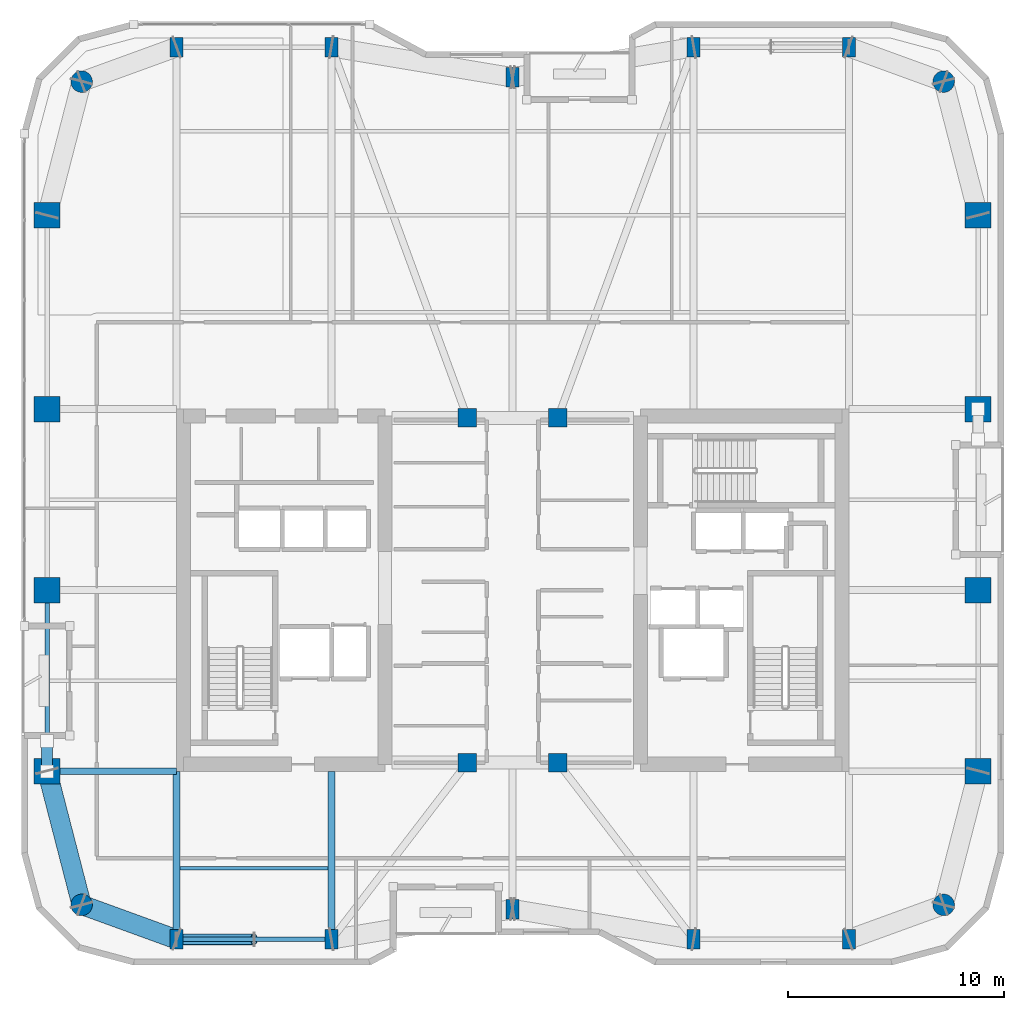
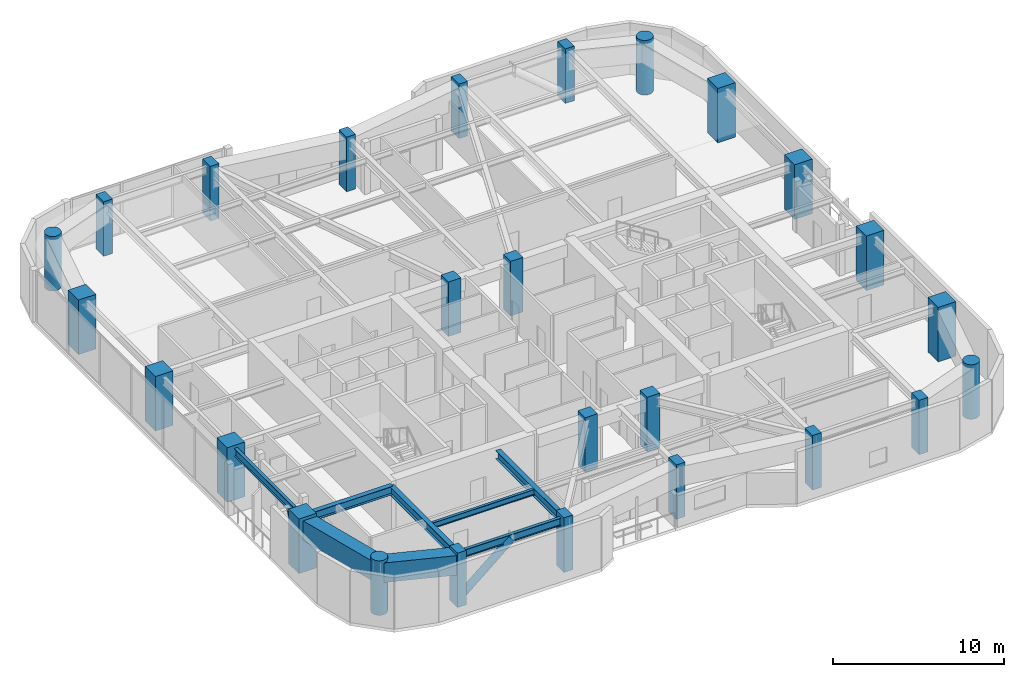
# One storey, part 1 of 21: 26 columns, 8 beams, 2 members.
"""IFC4 building model written with IfcOpenShell, lengths in metres."""

from ifc_helpers import new_model, si_unit, direction, frame, origin, origin_2d, place, context, subcontext, project, spatial, rectangle, hollow_rectangle, circle, hollow_circle, i_section, extrude, material, material_profile, profile_set, type_object, element, save


model = new_model("IFC4")

# Units and contexts
model_context = context("Model", 3, precision=1e-05, world=origin(), true_north=direction((0.0, 1.0)))
body_context = subcontext(model_context, "Body", "Model", "MODEL_VIEW")
ifc_project = project(units=[si_unit("LENGTHUNIT", "METRE"), si_unit("AREAUNIT", "SQUARE_METRE"), si_unit("VOLUMEUNIT", "CUBIC_METRE"), si_unit("PLANEANGLEUNIT", "RADIAN"), si_unit("MASSUNIT", "GRAM", prefix="KILO")], contexts=[model_context])

# Site, building, storey
site_placement = place(None, origin())
site = spatial("IfcSite", under=ifc_project, at=site_placement, CompositionType="ELEMENT")
building_placement = place(site_placement, origin())
building = spatial("IfcBuilding", under=site, at=building_placement, Name="Kiyonajd Concourse Tower", CompositionType="ELEMENT")
storey_placement = place(building_placement, frame((0.0, 0.0, 219.300048828125)))
storey = spatial("IfcBuildingStorey", under=building, at=storey_placement, Name="L55", CompositionType="ELEMENT", Elevation=219.300048828125)

# Columns
ifc_material_1 = material(Name="Concrete C60/75", Category="concrete")
ifc_material_profile_1 = material_profile(ifc_material_1, rectangle(XDim=0.60009765625, YDim=0.89990234375, at=origin_2d()), Name="RC-900x600")
ifc_profile_set_1 = profile_set([ifc_material_profile_1], Name="Concrete C60/75")
column_type_1 = type_object("IfcColumnType", Name="CL-BLADE-900", PredefinedType="COLUMN", material=ifc_profile_set_1)
for number, where, z_axis, x_axis, name in (
    (1, (32.39990234375, 19.800048828125, 0.0), (0.0, 0.0, 1.0), (1.0, 0.0, 0.0), "L55 Perimeter Bundled Tube Column"),
    (2, (32.39990234375, 61.199951171875, 0.0), (0.0, 0.0, 1.0), (1.0, 0.0, 0.0), "L55 Perimeter Bundled Tube Column"),
    (3, (39.60009765625, 19.800048828125, 0.0), (0.0, 0.0, 1.0), (1.0, 0.0, 0.0), "L55 Perimeter Bundled Tube Column"),
    (4, (39.60009765625, 61.199951171875, 0.0), (0.0, 0.0, 1.0), (1.0, 0.0, 0.0), "L55 Perimeter Bundled Tube Column"),
    (5, (48.0, 21.199951171875, 0.0), (0.0, 0.0, 1.0), (1.0, 0.0, 0.0), "L55 Perimeter Bundled Tube Column"),
    (6, (48.0, 59.800048828125, 0.0), (0.0, 0.0, 1.0), (1.0, 0.0, 0.0), "L55 Perimeter Bundled Tube Column"),
    (7, (56.39990234375, 19.800048828125, 0.0), (0.0, 0.0, 1.0), (1.0, 0.0, 0.0), "L55 Perimeter Bundled Tube Column"),
    (8, (56.39990234375, 61.199951171875, 0.0), (0.0, 0.0, 1.0), (1.0, 0.0, 0.0), "L55 Perimeter Bundled Tube Column"),
    (9, (63.60009765625, 19.800048828125, 0.0), (0.0, 0.0, 1.0), (1.0, 0.0, 0.0), "L55 Perimeter Bundled Tube Column"),
    (10, (63.60009765625, 61.199951171875, 0.0), (0.0, 0.0, 1.0), (1.0, 0.0, 0.0), "L55 Perimeter Bundled Tube Column"),
):
    element("IfcColumn", number, at=place(storey_placement, frame(where, z_axis=z_axis, x_axis=x_axis)), inside=storey, type_object=column_type_1, Name=name, PredefinedType="COLUMN", context=body_context, shape_type="SweptSolid", body=[
        extrude(rectangle(XDim=0.60009765625, YDim=0.89990234375, at=origin_2d()), origin(), (0.0, 0.0, 1.0), 3.89990234375),
    ])
ifc_material_profile_2 = material_profile(ifc_material_1, circle(Radius=0.5, at=origin_2d()), Name="RCC-D1000")
ifc_profile_set_2 = profile_set([ifc_material_profile_2], Name="Concrete C60/75")
column_type_2 = type_object("IfcColumnType", Name="CL-RND-1000", PredefinedType="COLUMN", material=ifc_profile_set_2)
for number, where, z_axis, x_axis, name in (
    (11, (28.0, 21.39990234375, 0.0), (0.0, 0.0, 1.0), (1.0, 0.0, 0.0), "L55 Bundled Tube Corner Column South West"),
    (12, (68.0, 21.39990234375, 0.0), (0.0, 0.0, 1.0), (1.0, 0.0, 0.0), "L55 Bundled Tube Corner Column South East"),
    (13, (68.0, 59.60009765625, 0.0), (0.0, 0.0, 1.0), (1.0, 0.0, 0.0), "L55 Bundled Tube Corner Column North East"),
    (14, (28.0, 59.60009765625, 0.0), (0.0, 0.0, 1.0), (1.0, 0.0, 0.0), "L55 Bundled Tube Corner Column North West"),
):
    element("IfcColumn", number, at=place(storey_placement, frame(where, z_axis=z_axis, x_axis=x_axis)), inside=storey, type_object=column_type_2, Name=name, PredefinedType="COLUMN", context=body_context, shape_type="SweptSolid", body=[
        extrude(circle(Radius=0.5, at=origin_2d()), origin(), (0.0, 0.0, 1.0), 3.89990234375),
    ])
ifc_material_2 = material(Name="Concrete C70/85", Category="concrete")
ifc_material_profile_3 = material_profile(ifc_material_2, rectangle(XDim=1.199951171875, YDim=1.199951171875, at=origin_2d()), Name="RC-1200x1200")
ifc_profile_set_3 = profile_set([ifc_material_profile_3], Name="Concrete C70/85")
column_type_3 = type_object("IfcColumnType", Name="CL-TUBE-1200", PredefinedType="COLUMN", material=ifc_profile_set_3)
for number, where, z_axis, x_axis, name in (
    (15, (26.39990234375, 27.60009765625, 0.0), (0.0, 0.0, 1.0), (1.0, 0.0, 0.0), "L55 Perimeter Bundled Tube Column"),
    (16, (69.60009765625, 27.60009765625, 0.0), (0.0, 0.0, 1.0), (1.0, 0.0, 0.0), "L55 Perimeter Bundled Tube Column"),
    (17, (26.39990234375, 36.0, 0.0), (0.0, 0.0, 1.0), (1.0, 0.0, 0.0), "L55 Perimeter Bundled Tube Column"),
    (18, (69.60009765625, 36.0, 0.0), (0.0, 0.0, 1.0), (1.0, 0.0, 0.0), "L55 Perimeter Bundled Tube Column"),
    (19, (26.39990234375, 44.39990234375, 0.0), (0.0, 0.0, 1.0), (1.0, 0.0, 0.0), "L55 Perimeter Bundled Tube Column"),
    (20, (69.60009765625, 44.39990234375, 0.0), (0.0, 0.0, 1.0), (1.0, 0.0, 0.0), "L55 Perimeter Bundled Tube Column"),
    (21, (26.39990234375, 53.39990234375, 0.0), (0.0, 0.0, 1.0), (1.0, 0.0, 0.0), "L55 Perimeter Bundled Tube Column"),
    (22, (69.60009765625, 53.39990234375, 0.0), (0.0, 0.0, 1.0), (1.0, 0.0, 0.0), "L55 Perimeter Bundled Tube Column"),
):
    element("IfcColumn", number, at=place(storey_placement, frame(where, z_axis=z_axis, x_axis=x_axis)), inside=storey, type_object=column_type_3, Name=name, PredefinedType="COLUMN", context=body_context, shape_type="SweptSolid", body=[
        extrude(rectangle(XDim=1.199951171875, YDim=1.199951171875, at=origin_2d()), origin(), (0.0, 0.0, 1.0), 3.89990234375),
    ])
ifc_material_profile_4 = material_profile(ifc_material_1, rectangle(XDim=0.85009765625, YDim=0.85009765625, at=origin_2d()), Name="RC-850x850")
ifc_profile_set_4 = profile_set([ifc_material_profile_4], Name="Concrete C60/75")
column_type_4 = type_object("IfcColumnType", Name="CL-TUBE-850", PredefinedType="COLUMN", material=ifc_profile_set_4)
for number, where, z_axis, x_axis, name in (
    (23, (45.89990234375, 28.0, 0.0), (0.0, 0.0, 1.0), (1.0, 0.0, 0.0), "L55 Core Tie Column South West"),
    (24, (50.10009765625, 28.0, 0.0), (0.0, 0.0, 1.0), (1.0, 0.0, 0.0), "L55 Core Tie Column South East"),
    (25, (45.89990234375, 44.0, 0.0), (0.0, 0.0, 1.0), (1.0, 0.0, 0.0), "L55 Core Tie Column North West"),
    (26, (50.10009765625, 44.0, 0.0), (0.0, 0.0, 1.0), (1.0, 0.0, 0.0), "L55 Core Tie Column North East"),
):
    element("IfcColumn", number, at=place(storey_placement, frame(where, z_axis=z_axis, x_axis=x_axis)), inside=storey, type_object=column_type_4, Name=name, PredefinedType="COLUMN", context=body_context, shape_type="SweptSolid", body=[
        extrude(rectangle(XDim=0.85009765625, YDim=0.85009765625, at=origin_2d()), origin(), (0.0, 0.0, 1.0), 3.89990234375),
    ])

# Beams
ifc_material_3 = material(Name="Steel ASTM A992 Grade 50", Category="steel")
ifc_material_profile_5 = material_profile(ifc_material_3, i_section(OverallWidth=0.180908203125, OverallDepth=0.4169921875, WebThickness=0.010986328125, FlangeThickness=0.018310546875, at=origin_2d()), Name="W410X85")
ifc_profile_set_5 = profile_set([ifc_material_profile_5], Name="Steel ASTM A992 Grade 50")
beam_type_1 = type_object("IfcBeamType", Name="BM-JST-410", PredefinedType="JOIST", material=ifc_profile_set_5)
beam_1_placement = place(storey_placement, frame((32.56201171875, 23.10009765625, 3.471435546875), z_axis=(1.0, 0.0, 0.0), x_axis=(0.0, 1.0, 0.0)))
element("IfcBeam", 27, at=beam_1_placement, inside=storey, type_object=beam_type_1, Name="L55 Secondary Floor Joist", PredefinedType="JOIST", context=body_context, shape_type="SweptSolid", body=[
    extrude(i_section(OverallWidth=0.180908203125, OverallDepth=0.4169921875, WebThickness=0.010986328125, FlangeThickness=0.018310546875, at=origin_2d()), origin(), (0.0, 0.0, 1.0), 6.8759765625),
])
ifc_material_profile_6 = material_profile(ifc_material_3, i_section(OverallWidth=0.214111328125, OverallDepth=0.549072265625, WebThickness=0.0146484375, FlangeThickness=0.023681640625, at=origin_2d()), Name="W530X138")
ifc_profile_set_6 = profile_set([ifc_material_profile_6], Name="Steel ASTM A992 Grade 50")
beam_type_2 = type_object("IfcBeamType", Name="BM-SPAN-530A", PredefinedType="SPANDREL", material=ifc_profile_set_6)
beam_2_placement = place(storey_placement, frame((32.39990234375, 19.800048828125, 3.405517578125), z_axis=(1.0, 0.0, 0.0), x_axis=(0.0, 1.0, 0.0)))
element("IfcBeam", 28, at=beam_2_placement, inside=storey, type_object=beam_type_2, Name="L55 Perimeter Bundled Tube Spandrel", PredefinedType="SPANDREL", context=body_context, shape_type="SweptSolid", body=[
    extrude(i_section(OverallWidth=0.214111328125, OverallDepth=0.549072265625, WebThickness=0.0146484375, FlangeThickness=0.023681640625, at=origin_2d()), origin(), (0.0, 0.0, 1.0), 7.2001953125),
])
beam_3_placement = place(storey_placement, frame((26.39990234375, 36.0, 3.405517578125), z_axis=(0.0, -1.0, 0.0), x_axis=(1.0, 0.0, 0.0)))
element("IfcBeam", 29, at=beam_3_placement, inside=storey, type_object=beam_type_2, Name="L55 Perimeter Bundled Tube Spandrel", PredefinedType="SPANDREL", context=body_context, shape_type="SweptSolid", body=[
    extrude(i_section(OverallWidth=0.214111328125, OverallDepth=0.549072265625, WebThickness=0.0146484375, FlangeThickness=0.023681640625, at=origin_2d()), origin(), (0.0, 0.0, 1.0), 8.39990234375),
])
ifc_material_profile_7 = material_profile(ifc_material_3, i_section(OverallWidth=0.323974609375, OverallDepth=0.611083984375, WebThickness=0.0126953125, FlangeThickness=0.01904296875, at=origin_2d()), Name="W610X155")
ifc_profile_set_7 = profile_set([ifc_material_profile_7], Name="Steel ASTM A992 Grade 50")
beam_type_3 = type_object("IfcBeamType", Name="BM-TWR-610B", PredefinedType="BEAM", material=ifc_profile_set_7)
for number, where, z_axis, x_axis, name in (
    (30, (32.39990234375, 19.800048828125, 3.37451171875), (0.0, 1.0, 0.0), (-1.0, 0.0, 0.0), "L55 South Lease Girder"),
    (31, (39.60009765625, 19.800048828125, 3.37451171875), (0.0, 1.0, 0.0), (-1.0, 0.0, 0.0), "L55 South Lease Girder"),
):
    element("IfcBeam", number, at=place(storey_placement, frame(where, z_axis=z_axis, x_axis=x_axis)), inside=storey, type_object=beam_type_3, Name=name, PredefinedType="BEAM", context=body_context, shape_type="SweptSolid", body=[
        extrude(i_section(OverallWidth=0.323974609375, OverallDepth=0.611083984375, WebThickness=0.0126953125, FlangeThickness=0.01904296875, at=origin_2d()), origin(), (0.0, 0.0, 1.0), 7.800048828125),
    ])
beam_4_placement = place(storey_placement, frame((26.39990234375, 27.60009765625, 3.37451171875), z_axis=(1.0, 0.0, 0.0), x_axis=(0.0, 1.0, 0.0)))
element("IfcBeam", 32, at=beam_4_placement, inside=storey, type_object=beam_type_3, Name="L55 West Lease Girder", PredefinedType="BEAM", context=body_context, shape_type="SweptSolid", body=[
    extrude(i_section(OverallWidth=0.323974609375, OverallDepth=0.611083984375, WebThickness=0.0126953125, FlangeThickness=0.01904296875, at=origin_2d()), origin(), (0.0, 0.0, 1.0), 6.0),
])
ifc_material_4 = material(Name="Steel ASTM A572 Grade 50", Category="steel")
ifc_material_profile_8 = material_profile(ifc_material_4, hollow_rectangle(XDim=0.89990234375, YDim=1.39990234375, WallThickness=0.070068359375, at=origin_2d()), Name="BOX-1400x900x70")
ifc_profile_set_8 = profile_set([ifc_material_profile_8], Name="Steel ASTM A572 Grade 50")
beam_type_4 = type_object("IfcBeamType", Name="BM-XFER-1400", PredefinedType="BEAM", material=ifc_profile_set_8)
beam_5_placement = place(storey_placement, frame((26.39990234375, 27.60009765625, 2.97998046875), z_axis=(0.249884937687, -0.968275538221, 0.0), x_axis=(0.968275538221, 0.249884937687, 0.0)))
element("IfcBeam", 33, at=beam_5_placement, inside=storey, type_object=beam_type_4, Name="L55 Perimeter Bundled Tube Spandrel", PredefinedType="BEAM", context=body_context, shape_type="SweptSolid", body=[
    extrude(hollow_rectangle(XDim=0.89990234375, YDim=1.39990234375, WallThickness=0.070068359375, at=origin_2d()), origin(), (0.0, 0.0, 1.0), 6.4033203125),
])
beam_6_placement = place(storey_placement, frame((28.0, 21.39990234375, 2.97998046875), z_axis=(0.939801036019, -0.341722127901, 0.0), x_axis=(0.341722127901, 0.939801036019, 0.0)))
element("IfcBeam", 34, at=beam_6_placement, inside=storey, type_object=beam_type_4, Name="L55 Perimeter Bundled Tube Spandrel", PredefinedType="BEAM", context=body_context, shape_type="SweptSolid", body=[
    extrude(hollow_rectangle(XDim=0.89990234375, YDim=1.39990234375, WallThickness=0.070068359375, at=origin_2d()), origin(), (0.0, 0.0, 1.0), 4.681640625),
])

# Members
ifc_material_5 = material(Name="Steel ASTM A500 Grade C", Category="steel")
ifc_material_profile_9 = material_profile(ifc_material_5, hollow_circle(Radius=0.25390625, WallThickness=0.02197265625, at=origin_2d()), Name="CHS-508x22")
ifc_profile_set_9 = profile_set([ifc_material_profile_9], Name="Steel ASTM A500 Grade C")
member_type = type_object("IfcMemberType", Name="MB-PB-MID", PredefinedType="BRACE", material=ifc_profile_set_9)
member_1_placement = place(storey_placement, frame((32.39990234375, 19.800048828125, 0.300048828125), z_axis=(0.765107605277, 0.0, 0.643902440085), x_axis=(0.0, 1.0, 0.0)))
element("IfcMember", 35, at=member_1_placement, inside=storey, type_object=member_type, Name="L55 Upper Zone Hollow Tube Brace PBS", PredefinedType="BRACE", context=body_context, shape_type="SweptSolid", body=[
    extrude(hollow_circle(Radius=0.25390625, WallThickness=0.02197265625, at=origin_2d()), origin(), (0.0, 0.0, 1.0), 4.705322265625),
])
member_2_placement = place(storey_placement, frame((26.39990234375, 27.60009765625, 0.300048828125), z_axis=(0.0, 0.419438517439, 0.907783746323), x_axis=(-1.0, 0.0, 0.0)))
element("IfcMember", 36, at=member_2_placement, inside=storey, type_object=member_type, Name="L55 Upper Zone Hollow Tube Brace PBW", PredefinedType="BRACE", context=body_context, shape_type="SweptSolid", body=[
    extrude(hollow_circle(Radius=0.25390625, WallThickness=0.02197265625, at=origin_2d()), origin(), (0.0, 0.0, 1.0), 3.337646484375),
])

save(model, "model.ifc")
